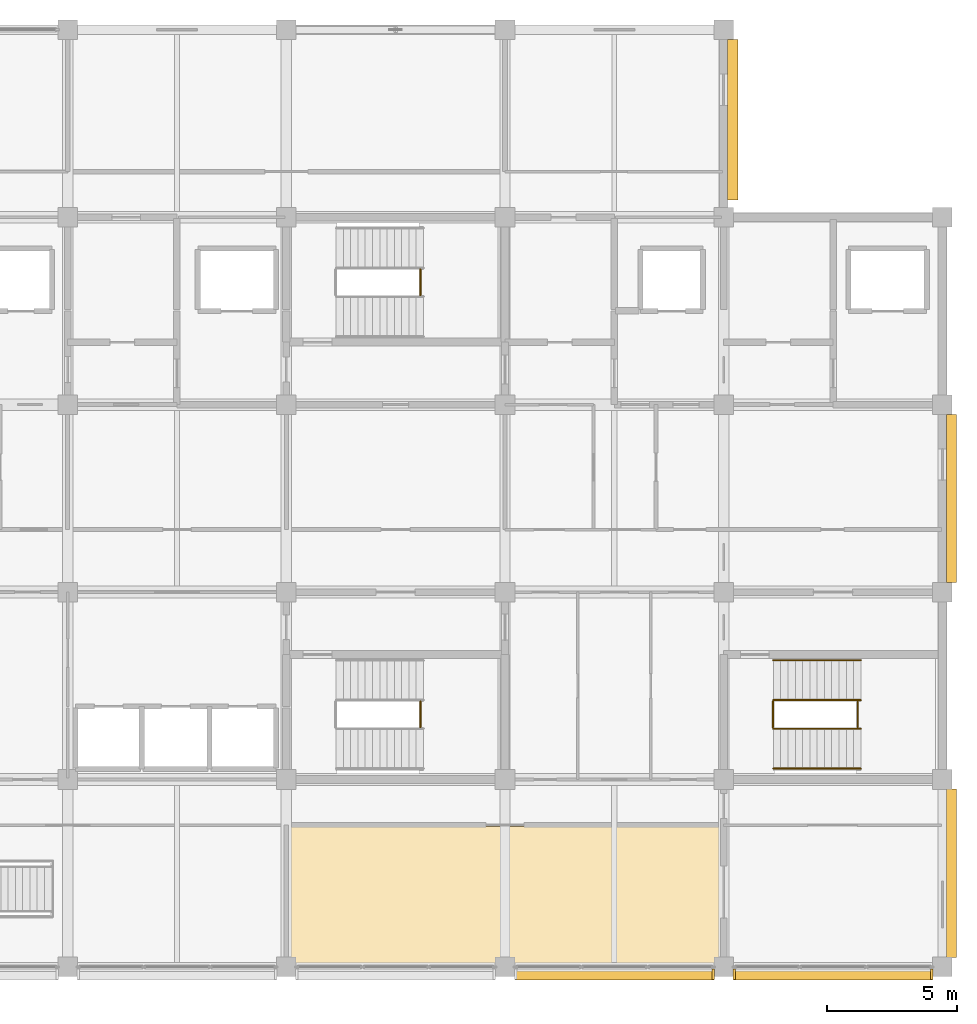
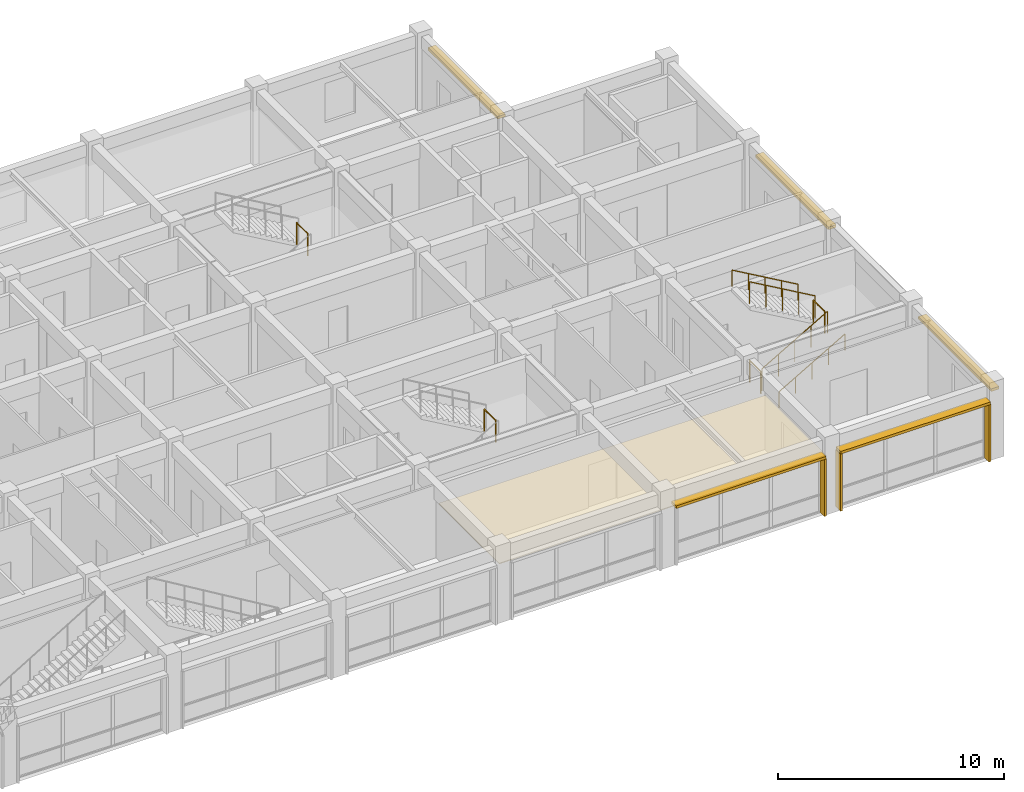
# One storey, part 27 of 27: 8 railings, 8 shading devices, 1 covering.
"""IFC4 building model written with IfcOpenShell, lengths in metres."""

from ifc_helpers import new_model, si_unit, direction, frame, origin, origin_2d, place, context, subcontext, project, spatial, polyline, rectangle, circle, outline, extrude, material, layer, layer_set, type_object, element, save


model = new_model("IFC4")

# Units and contexts
model_context = context("Model", 3, precision=1e-05, world=origin(), true_north=direction((0.0, 1.0)))
body_context = subcontext(model_context, "Body", "Model", "MODEL_VIEW")
ifc_project = project(units=[si_unit("LENGTHUNIT", "METRE"), si_unit("AREAUNIT", "SQUARE_METRE"), si_unit("VOLUMEUNIT", "CUBIC_METRE"), si_unit("PLANEANGLEUNIT", "RADIAN"), si_unit("MASSUNIT", "GRAM", prefix="KILO")], contexts=[model_context])

# Site, building, storey
site_placement = place(None, origin())
site = spatial("IfcSite", under=ifc_project, at=site_placement, CompositionType="ELEMENT")
building_placement = place(site_placement, origin())
building = spatial("IfcBuilding", under=site, at=building_placement, Name="Chengyuan Square Courthouse", CompositionType="ELEMENT")
storey_placement = place(building_placement, frame((0.0, 0.0, 39.300048828125)))
storey = spatial("IfcBuildingStorey", under=building, at=storey_placement, Name="L09", CompositionType="ELEMENT", Elevation=39.300048828125)

# Covering
ifc_material_1 = material(Name="Perforated Larch Glulam Acoustic Slat Ceiling", Category="wood")
ifc_layer = layer(ifc_material_1, 0.044921875)
ifc_layer_set = layer_set([ifc_layer], Name="Perforated Larch Glulam Acoustic Slat Ceiling")
covering_type = type_object("IfcCoveringType", Name="CLG-01", PredefinedType="CEILING", material=ifc_layer_set)
covering_placement = place(storey_placement, frame((0.0, 0.0, 2.849853515625)))
element("IfcCovering", 1, at=covering_placement, inside=storey, type_object=covering_type, Name="Acoustic Timber Slat Ceiling CLG-L09-CRT-A2", PredefinedType="CEILING", context=body_context, shape_type="SweptSolid", body=[
    extrude(outline(polyline([(100.85009765625, 79.25), (117.550048828125, 79.25), (117.550048828125, 84.60009765625), (100.85009765625, 84.60009765625), (100.85009765625, 79.25)])), origin(), (0.0, 0.0, 1.0), 0.045166015625),
])

# Railings
ifc_material_2 = material(Name="Tempered Glass and Timber Top-Rail Balustrade", Category="wood")
railing_type_1 = type_object("IfcRailingType", Name="RL-02", PredefinedType="BALUSTRADE", material=ifc_material_2)
for number, where, name in (
    (2, (105.949951171875, 105.0, 2.099853515625), "Stair Landing Guard ST-2-L09"),
    (3, (105.949951171875, 88.39990234375, 2.099853515625), "Stair Landing Guard ST-4-L09"),
    (4, (119.489990234375, 88.39990234375, 0.0), "Stair Floor Slot Guard ST-6 L09"),
    (5, (122.75, 88.39990234375, 2.099853515625), "Stair Landing Guard ST-6-L09"),
):
    element("IfcRailing", number, at=place(storey_placement, frame(where)), inside=storey, type_object=railing_type_1, Name=name, PredefinedType="BALUSTRADE", context=body_context, shape_type="SweptSolid", body=[
        extrude(circle(Radius=0.02392578125, at=origin_2d()), frame((0.0, 0.0, 1.17578125), z_axis=(0.0, 1.0, 0.0), x_axis=(-1.0, 0.0, 0.0)), (0.0, 0.0, 1.0), 1.0),
        extrude(circle(Radius=0.02099609375, at=origin_2d()), origin(), (0.0, 0.0, 1.0), 1.15185546875),
        extrude(circle(Radius=0.02099609375, at=origin_2d()), frame((0.0, 1.0, 0.0)), (0.0, 0.0, 1.0), 1.15185546875),
    ])
railing_1_placement = place(storey_placement, frame((119.510009765625, 88.35009765625, 0.161376953125)))
element("IfcRailing", 6, at=railing_1_placement, inside=storey, type_object=railing_type_1, Name="Stair Flight 1 Guard ST-6-L09", PredefinedType="BALUSTRADE", context=body_context, shape_type="SweptSolid", body=[
    extrude(circle(Radius=0.02392578125, at=origin_2d()), frame((0.0, 0.0, 1.17578125), z_axis=(0.866190824863, 0.0, 0.499713372768), x_axis=(0.0, 1.0, 0.0)), (0.0, 0.0, 1.0), 3.879150390625),
    extrude(circle(Radius=0.02099609375, at=origin_2d()), origin(), (0.0, 0.0, 1.0), 1.15185546875),
    extrude(circle(Radius=0.02099609375, at=origin_2d()), frame((0.840087890625, 0.0, 0.484619140625)), (0.0, 0.0, 1.0), 1.15185546875),
    extrude(circle(Radius=0.02099609375, at=origin_2d()), frame((1.68017578125, 0.0, 0.96923828125)), (0.0, 0.0, 1.0), 1.15185546875),
    extrude(circle(Radius=0.02099609375, at=origin_2d()), frame((2.52001953125, 0.0, 1.453857421875)), (0.0, 0.0, 1.0), 1.15185546875),
    extrude(circle(Radius=0.02099609375, at=origin_2d()), frame((3.360107421875, 0.0, 1.9384765625)), (0.0, 0.0, 1.0), 1.15185546875),
])
railing_2_placement = place(storey_placement, frame((122.8701171875, 89.449951171875, 2.261474609375)))
element("IfcRailing", 7, at=railing_2_placement, inside=storey, type_object=railing_type_1, Name="Stair Flight 2 Guard ST-6-L09", PredefinedType="BALUSTRADE", context=body_context, shape_type="SweptSolid", body=[
    extrude(circle(Radius=0.02392578125, at=origin_2d()), frame((0.0, 0.0, 1.17578125), z_axis=(-0.866190824863, 0.0, 0.499713372768), x_axis=(0.0, -1.0, 0.0)), (0.0, 0.0, 1.0), 3.879150390625),
    extrude(circle(Radius=0.02099609375, at=origin_2d()), origin(), (0.0, 0.0, 1.0), 1.15185546875),
    extrude(circle(Radius=0.02099609375, at=origin_2d()), frame((-0.840087890625, 0.0, 0.484619140625)), (0.0, 0.0, 1.0), 1.15185546875),
    extrude(circle(Radius=0.02099609375, at=origin_2d()), frame((-1.68017578125, 0.0, 0.96923828125)), (0.0, 0.0, 1.0), 1.15185546875),
    extrude(circle(Radius=0.02099609375, at=origin_2d()), frame((-2.52001953125, 0.0, 1.453857421875)), (0.0, 0.0, 1.0), 1.15185546875),
    extrude(circle(Radius=0.02099609375, at=origin_2d()), frame((-3.360107421875, 0.0, 1.9384765625)), (0.0, 0.0, 1.0), 1.15185546875),
])
ifc_material_3 = material(Name="Stainless Steel S30408 Stair Handrail", Category="steel")
railing_type_2 = type_object("IfcRailingType", Name="RL-04", PredefinedType="HANDRAIL", material=ifc_material_3)
railing_3_placement = place(storey_placement, frame((119.510009765625, 86.820068359375, 0.161376953125)))
element("IfcRailing", 8, at=railing_3_placement, inside=storey, type_object=railing_type_2, Name="Stair Flight 1 Handrail ST-6-L09", PredefinedType="HANDRAIL", context=body_context, shape_type="SweptSolid", body=[
    extrude(circle(Radius=0.02392578125, at=origin_2d()), frame((0.0, 0.0, 0.8759765625), z_axis=(0.866190824863, 0.0, 0.499713372768), x_axis=(0.0, 1.0, 0.0)), (0.0, 0.0, 1.0), 3.879150390625),
    extrude(circle(Radius=0.02099609375, at=origin_2d()), origin(), (0.0, 0.0, 1.0), 0.851806640625),
    extrude(circle(Radius=0.02099609375, at=origin_2d()), frame((0.840087890625, 0.0, 0.484619140625)), (0.0, 0.0, 1.0), 0.851806640625),
    extrude(circle(Radius=0.02099609375, at=origin_2d()), frame((1.68017578125, 0.0, 0.96923828125)), (0.0, 0.0, 1.0), 0.851806640625),
    extrude(circle(Radius=0.02099609375, at=origin_2d()), frame((2.52001953125, 0.0, 1.453857421875)), (0.0, 0.0, 1.0), 0.851806640625),
    extrude(circle(Radius=0.02099609375, at=origin_2d()), frame((3.360107421875, 0.0, 1.9384765625)), (0.0, 0.0, 1.0), 0.851806640625),
])
railing_4_placement = place(storey_placement, frame((122.8701171875, 90.97998046875, 2.261474609375)))
element("IfcRailing", 9, at=railing_4_placement, inside=storey, type_object=railing_type_2, Name="Stair Flight 2 Handrail ST-6-L09", PredefinedType="HANDRAIL", context=body_context, shape_type="SweptSolid", body=[
    extrude(circle(Radius=0.02392578125, at=origin_2d()), frame((0.0, 0.0, 0.8759765625), z_axis=(-0.866190824863, 0.0, 0.499713372768), x_axis=(0.0, -1.0, 0.0)), (0.0, 0.0, 1.0), 3.879150390625),
    extrude(circle(Radius=0.02099609375, at=origin_2d()), origin(), (0.0, 0.0, 1.0), 0.851806640625),
    extrude(circle(Radius=0.02099609375, at=origin_2d()), frame((-0.840087890625, 0.0, 0.484619140625)), (0.0, 0.0, 1.0), 0.851806640625),
    extrude(circle(Radius=0.02099609375, at=origin_2d()), frame((-1.68017578125, 0.0, 0.96923828125)), (0.0, 0.0, 1.0), 0.851806640625),
    extrude(circle(Radius=0.02099609375, at=origin_2d()), frame((-2.52001953125, 0.0, 1.453857421875)), (0.0, 0.0, 1.0), 0.851806640625),
    extrude(circle(Radius=0.02099609375, at=origin_2d()), frame((-3.360107421875, 0.0, 1.9384765625)), (0.0, 0.0, 1.0), 0.851806640625),
])

# Shading devices
ifc_material_4 = material(Name="Glulam TCt28 Solar Shading Fin", Category="wood")
shading_device_type_1 = type_object("IfcShadingDeviceType", Name="SHD-01", PredefinedType="JALOUSIE", material=ifc_material_4)
for number, where, z_axis, x_axis, name in (
    (10, (117.195068359375, 78.91796875, 0.0400390625), (0.0, 0.0, 1.0), (0.0, 1.0, 0.0), "Glulam Solar Fin SHD-L09-0747"),
    (11, (118.0048828125, 78.91796875, 0.0400390625), (0.0, 0.0, 1.0), (0.0, 1.0, 0.0), "Glulam Solar Fin SHD-L09-0750"),
    (12, (125.594970703125, 78.91796875, 0.0400390625), (0.0, 0.0, 1.0), (0.0, 1.0, 0.0), "Glulam Solar Fin SHD-L09-0751"),
):
    element("IfcShadingDevice", number, at=place(storey_placement, frame(where, z_axis=z_axis, x_axis=x_axis)), inside=storey, type_object=shading_device_type_1, Name=name, PredefinedType="JALOUSIE", context=body_context, shape_type="SweptSolid", body=[
        extrude(rectangle(XDim=0.419921875, YDim=0.094970703125, at=origin_2d()), origin(), (0.0, 0.0, 1.0), 3.090087890625),
    ])
ifc_material_5 = material(Name="Glulam TCt28 Sunshade Louvre", Category="wood")
shading_device_type_2 = type_object("IfcShadingDeviceType", Name="SHD-02", PredefinedType="AWNING", material=ifc_material_5)
for number, where, z_axis, x_axis, name in (
    (13, (113.39990234375, 78.91796875, 3.1298828125), (0.0, 0.0, 1.0), (1.0, 0.0, 0.0), "Glulam Sunshade Louvre SHD-L09-0748"),
    (14, (121.800048828125, 78.91796875, 3.1298828125), (0.0, 0.0, 1.0), (1.0, 0.0, 0.0), "Glulam Sunshade Louvre SHD-L09-0752"),
):
    element("IfcShadingDevice", number, at=place(storey_placement, frame(where, z_axis=z_axis, x_axis=x_axis)), inside=storey, type_object=shading_device_type_2, Name=name, PredefinedType="AWNING", context=body_context, shape_type="SweptSolid", body=[
        extrude(rectangle(XDim=7.64990234375, YDim=0.43994140625, at=origin_2d()), origin(), (0.0, 0.0, 1.0), 0.139892578125),
    ])
ifc_material_6 = material(Name="Glulam TCt28 Facade Sunshade", Category="wood")
shading_device_type_3 = type_object("IfcShadingDeviceType", Name="SHD-03", PredefinedType="AWNING", material=ifc_material_6)
shading_device_placement = place(storey_placement, frame((117.951904296875, 111.75, 3.10986328125), z_axis=(0.0, 0.0, 1.0), x_axis=(0.0, 1.0, 0.0)))
element("IfcShadingDevice", 15, at=shading_device_placement, inside=storey, type_object=shading_device_type_3, Name="Glulam Facade Sunshade SHD-L09-0749", PredefinedType="AWNING", context=body_context, shape_type="SweptSolid", body=[
    extrude(rectangle(XDim=6.159912109375, YDim=0.39990234375, at=origin_2d()), origin(), (0.0, 0.0, 1.0), 0.139892578125),
])
for number, where, z_axis, x_axis, name in (
    (16, (126.35205078125, 82.800048828125, 3.10986328125), (0.0, 0.0, 1.0), (0.0, 1.0, 0.0), "Glulam Facade Sunshade SHD-L09-0753"),
    (17, (126.35205078125, 97.199951171875, 3.10986328125), (0.0, 0.0, 1.0), (0.0, 1.0, 0.0), "Glulam Facade Sunshade SHD-L09-0754"),
):
    element("IfcShadingDevice", number, at=place(storey_placement, frame(where, z_axis=z_axis, x_axis=x_axis)), inside=storey, type_object=shading_device_type_3, Name=name, PredefinedType="AWNING", context=body_context, shape_type="SweptSolid", body=[
        extrude(rectangle(XDim=6.4599609375, YDim=0.39990234375, at=origin_2d()), origin(), (0.0, 0.0, 1.0), 0.139892578125),
    ])

save(model, "model.ifc")
